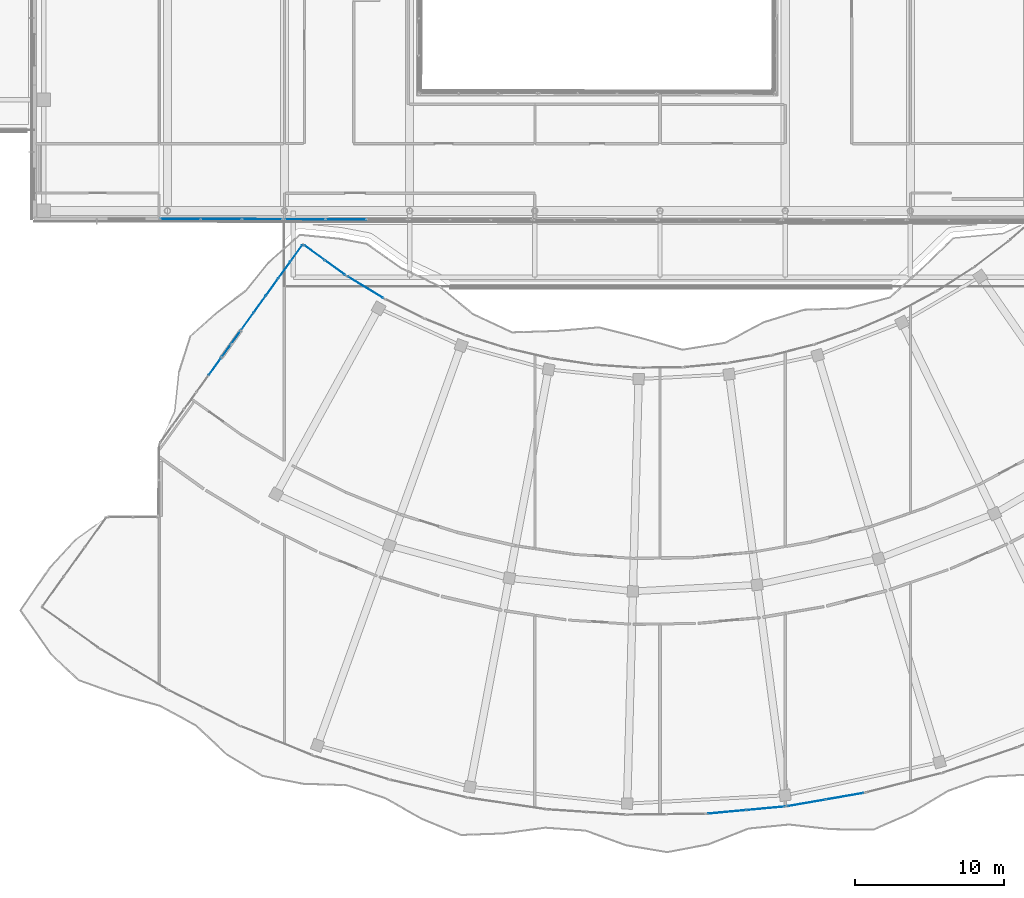
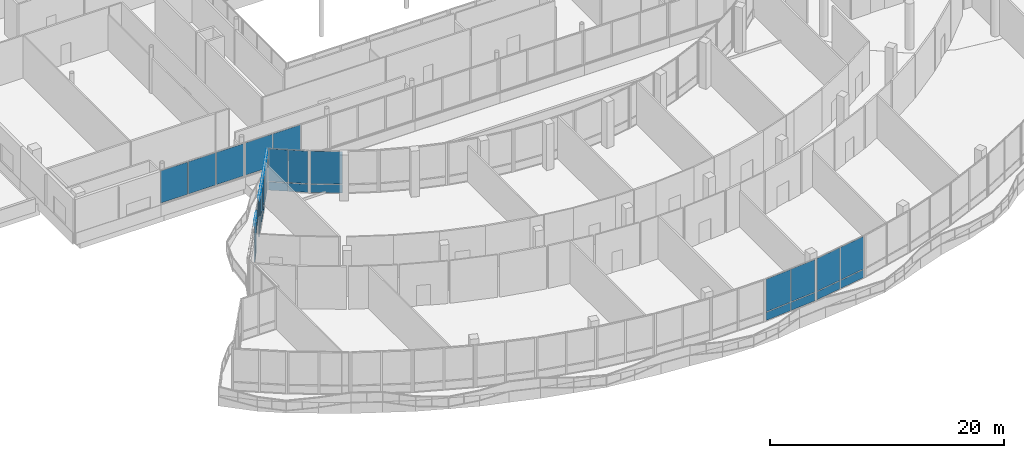
# One storey, part 124 of 168: 39 plates, 9 elements without a shape of their own.
"""IFC4 building model written with IfcOpenShell, lengths in metres."""

from ifc_helpers import new_model, si_unit, direction, frame, origin, origin_2d, place, context, subcontext, project, spatial, rectangle, extrude, material, layer, layer_set, type_object, element, aggregate, save


model = new_model("IFC4")

# Units and contexts
model_context = context("Model", 3, precision=1e-05, world=origin(), true_north=direction((0.0, 1.0)))
body_context = subcontext(model_context, "Body", "Model", "MODEL_VIEW")
ifc_project = project(units=[si_unit("LENGTHUNIT", "METRE"), si_unit("AREAUNIT", "SQUARE_METRE"), si_unit("VOLUMEUNIT", "CUBIC_METRE"), si_unit("PLANEANGLEUNIT", "RADIAN"), si_unit("MASSUNIT", "GRAM", prefix="KILO")], contexts=[model_context])

# Site, building, storey
site_placement = place(None, origin())
site = spatial("IfcSite", under=ifc_project, at=site_placement, CompositionType="ELEMENT")
building_placement = place(site_placement, origin())
building = spatial("IfcBuilding", under=site, at=building_placement, Name="Selatvlak General Hospital", CompositionType="ELEMENT")
storey_placement = place(building_placement, frame((0.0, 0.0, 5.39990234375)))
storey = spatial("IfcBuildingStorey", under=building, at=storey_placement, Name="L01", CompositionType="ELEMENT", Elevation=5.39990234375)

# Curtain wall, plates
ifc_material = material(Name="Solar-control Low-E double glazing", Category="glass")
curtain_wall_type_1 = type_object("IfcCurtainWallType", Name="CW-CW-01", PredefinedType="USERDEFINED", material=ifc_material)
curtain_wall_1_placement = place(storey_placement, origin())
curtain_wall_1 = element("IfcCurtainWall", 1, at=curtain_wall_1_placement, inside=storey, type_object=curtain_wall_type_1, Name="Glazed facade curtain wall CW-L01-0173", ObjectType="UNITISED CURTAIN WALL", PredefinedType="USERDEFINED")
ifc_layer = layer(ifc_material, 0.028076171875, Name="Solar-control Low-E double glazing", Category="glass")
ifc_layer_set = layer_set([ifc_layer], Name="Solar-control Low-E double glazing")
plate_type = type_object("IfcPlateType", Name="CWP-01", PredefinedType="CURTAIN_PANEL", material=ifc_layer_set)
plate_1_placement = place(storey_placement, frame((68.7939453125, 13.265380859375, 0.065185546875), z_axis=(0.0, 0.0, 1.0), x_axis=(-0.985299104881, -0.170838151242, 0.0)))
plate_1 = element("IfcPlate", 2, at=plate_1_placement, type_object=plate_type, Name="CW-01 panel 1.1", PredefinedType="CURTAIN_PANEL", context=body_context, shape_type="SweptSolid", body=[
    extrude(rectangle(XDim=2.54541015625, YDim=0.028076171875, at=origin_2d()), origin(), (0.0, 0.0, 1.0), 0.8525390625),
])
plate_2_placement = place(storey_placement, frame((68.7939453125, 13.265380859375, 0.982666015625), z_axis=(0.0, 0.0, 1.0), x_axis=(-0.985299104881, -0.170838151242, 0.0)))
plate_2 = element("IfcPlate", 3, at=plate_2_placement, type_object=plate_type, Name="CW-01 panel 1.2", PredefinedType="CURTAIN_PANEL", context=body_context, shape_type="SweptSolid", body=[
    extrude(rectangle(XDim=2.54541015625, YDim=0.028076171875, at=origin_2d()), origin(), (0.0, 0.0, 1.0), 3.3974609375),
])
plate_3_placement = place(storey_placement, frame((66.221923828125, 12.819580078125, 0.065185546875), z_axis=(0.0, 0.0, 1.0), x_axis=(-0.985299104881, -0.170838151242, 0.0)))
plate_3 = element("IfcPlate", 4, at=plate_3_placement, type_object=plate_type, Name="CW-01 panel 2.1", PredefinedType="CURTAIN_PANEL", context=body_context, shape_type="SweptSolid", body=[
    extrude(rectangle(XDim=2.54541015625, YDim=0.028076171875, at=origin_2d()), origin(), (0.0, 0.0, 1.0), 0.8525390625),
])
plate_4_placement = place(storey_placement, frame((66.221923828125, 12.819580078125, 0.982666015625), z_axis=(0.0, 0.0, 1.0), x_axis=(-0.985299104881, -0.170838151242, 0.0)))
plate_4 = element("IfcPlate", 5, at=plate_4_placement, type_object=plate_type, Name="CW-01 panel 2.2", PredefinedType="CURTAIN_PANEL", context=body_context, shape_type="SweptSolid", body=[
    extrude(rectangle(XDim=2.54541015625, YDim=0.028076171875, at=origin_2d()), origin(), (0.0, 0.0, 1.0), 3.3974609375),
])
aggregate(curtain_wall_1, [plate_1, plate_2, plate_3, plate_4])

curtain_wall_type_2 = type_object("IfcCurtainWallType", Name="CW-CW-02", PredefinedType="USERDEFINED", material=ifc_material)
curtain_wall_2_placement = place(storey_placement, origin())
curtain_wall_2 = element("IfcCurtainWall", 6, at=curtain_wall_2_placement, inside=storey, type_object=curtain_wall_type_2, Name="Glazed facade curtain wall CW-L01-0174", ObjectType="UNITISED CURTAIN WALL", PredefinedType="USERDEFINED")
plate_5_placement = place(storey_placement, frame((63.491455078125, 12.45849609375, 0.065185546875), z_axis=(0.0, 0.0, 1.0), x_axis=(-0.995731988381, -0.092291967773, 0.0)))
plate_5 = element("IfcPlate", 7, at=plate_5_placement, type_object=plate_type, Name="CW-02 panel 1.1", PredefinedType="CURTAIN_PANEL", context=body_context, shape_type="SweptSolid", body=[
    extrude(rectangle(XDim=2.54638671875, YDim=0.028076171875, at=origin_2d()), origin(), (0.0, 0.0, 1.0), 0.8525390625),
])
plate_6_placement = place(storey_placement, frame((63.491455078125, 12.45849609375, 0.982666015625), z_axis=(0.0, 0.0, 1.0), x_axis=(-0.995731988381, -0.092291967773, 0.0)))
plate_6 = element("IfcPlate", 8, at=plate_6_placement, type_object=plate_type, Name="CW-02 panel 1.2", PredefinedType="CURTAIN_PANEL", context=body_context, shape_type="SweptSolid", body=[
    extrude(rectangle(XDim=2.54638671875, YDim=0.028076171875, at=origin_2d()), origin(), (0.0, 0.0, 1.0), 3.3974609375),
])
plate_7_placement = place(storey_placement, frame((60.891357421875, 12.217529296875, 0.065185546875), z_axis=(0.0, 0.0, 1.0), x_axis=(-0.995731988381, -0.092291967773, 0.0)))
plate_7 = element("IfcPlate", 9, at=plate_7_placement, type_object=plate_type, Name="CW-02 panel 2.1", PredefinedType="CURTAIN_PANEL", context=body_context, shape_type="SweptSolid", body=[
    extrude(rectangle(XDim=2.54638671875, YDim=0.028076171875, at=origin_2d()), origin(), (0.0, 0.0, 1.0), 0.8525390625),
])
plate_8_placement = place(storey_placement, frame((60.891357421875, 12.217529296875, 0.982666015625), z_axis=(0.0, 0.0, 1.0), x_axis=(-0.995731988381, -0.092291967773, 0.0)))
plate_8 = element("IfcPlate", 10, at=plate_8_placement, type_object=plate_type, Name="CW-02 panel 2.2", PredefinedType="CURTAIN_PANEL", context=body_context, shape_type="SweptSolid", body=[
    extrude(rectangle(XDim=2.54638671875, YDim=0.028076171875, at=origin_2d()), origin(), (0.0, 0.0, 1.0), 3.3974609375),
])
aggregate(curtain_wall_2, [plate_5, plate_6, plate_7, plate_8])

curtain_wall_3_placement = place(storey_placement, origin())
curtain_wall_3 = element("IfcCurtainWall", 11, at=curtain_wall_3_placement, inside=storey, type_object=curtain_wall_type_2, Name="Glazed facade curtain wall CW-L01-0187", ObjectType="UNITISED CURTAIN WALL", PredefinedType="USERDEFINED")
plate_9_placement = place(storey_placement, frame((27.29638671875, 43.158203125, 2.385009765625), z_axis=(0.0, 0.0, 1.0), x_axis=(0.583236596029, 0.812302328602, 0.0)))
plate_9 = element("IfcPlate", 12, at=plate_9_placement, type_object=plate_type, Name="CW-02 panel 1.1", PredefinedType="CURTAIN_PANEL", context=body_context, shape_type="SweptSolid", body=[
    extrude(rectangle(XDim=1.03759765625, YDim=0.028076171875, at=origin_2d()), origin(), (0.0, 0.0, 1.0), 1.9951171875),
])
plate_10_placement = place(storey_placement, frame((27.939453125, 44.0537109375, 2.385009765625), z_axis=(0.0, 0.0, 1.0), x_axis=(0.583236596029, 0.812302328602, 0.0)))
plate_10 = element("IfcPlate", 13, at=plate_10_placement, type_object=plate_type, Name="CW-02 panel 2.1", PredefinedType="CURTAIN_PANEL", context=body_context, shape_type="SweptSolid", body=[
    extrude(rectangle(XDim=1.03759765625, YDim=0.028076171875, at=origin_2d()), origin(), (0.0, 0.0, 1.0), 1.9951171875),
])
aggregate(curtain_wall_3, [plate_9, plate_10])

curtain_wall_4_placement = place(storey_placement, origin())
curtain_wall_4 = element("IfcCurtainWall", 14, at=curtain_wall_4_placement, inside=storey, type_object=curtain_wall_type_1, Name="Glazed facade curtain wall CW-L01-0188", ObjectType="UNITISED CURTAIN WALL", PredefinedType="USERDEFINED")
plate_11_placement = place(storey_placement, frame((26.5185546875, 42.076904296875, 0.06494140625), z_axis=(0.0, 0.0, 1.0), x_axis=(0.583929474196, 0.81180439095, 0.0)))
plate_11 = element("IfcPlate", 15, at=plate_11_placement, type_object=plate_type, Name="CW-01 panel 5.1", PredefinedType="CURTAIN_PANEL", context=body_context, shape_type="SweptSolid", body=[
    extrude(rectangle(XDim=1.306884765625, YDim=0.028076171875, at=origin_2d()), origin(), (0.0, 0.0, 1.0), 0.802490234375),
])
plate_12_placement = place(storey_placement, frame((26.5185546875, 42.076904296875, 0.9326171875), z_axis=(0.0, 0.0, 1.0), x_axis=(0.583929474196, 0.81180439095, 0.0)))
plate_12 = element("IfcPlate", 16, at=plate_12_placement, type_object=plate_type, Name="CW-01 panel 5.2", PredefinedType="CURTAIN_PANEL", context=body_context, shape_type="SweptSolid", body=[
    extrude(rectangle(XDim=1.306884765625, YDim=0.028076171875, at=origin_2d()), origin(), (0.0, 0.0, 1.0), 2.830078125),
])
plate_13_placement = place(storey_placement, frame((26.5185546875, 42.076904296875, 3.82763671875), z_axis=(0.0, 0.0, 1.0), x_axis=(0.583929474196, 0.81180439095, 0.0)))
plate_13 = element("IfcPlate", 17, at=plate_13_placement, type_object=plate_type, Name="CW-01 panel 5.3", PredefinedType="CURTAIN_PANEL", context=body_context, shape_type="SweptSolid", body=[
    extrude(rectangle(XDim=1.306884765625, YDim=0.028076171875, at=origin_2d()), origin(), (0.0, 0.0, 1.0), 0.552490234375),
])
aggregate(curtain_wall_4, [plate_11, plate_12, plate_13])

curtain_wall_5_placement = place(storey_placement, origin())
curtain_wall_5 = element("IfcCurtainWall", 18, at=curtain_wall_5_placement, inside=storey, type_object=curtain_wall_type_1, Name="Glazed facade curtain wall CW-L01-0189", ObjectType="UNITISED CURTAIN WALL", PredefinedType="USERDEFINED")
plate_14_placement = place(storey_placement, frame((28.720458984375, 45.139404296875, 0.06494140625), z_axis=(0.0, 0.0, 1.0), x_axis=(0.583883694145, 0.811837318502, 0.0)))
plate_14 = element("IfcPlate", 19, at=plate_14_placement, type_object=plate_type, Name="CW-01 panel 1.1", PredefinedType="CURTAIN_PANEL", context=body_context, shape_type="SweptSolid", body=[
    extrude(rectangle(XDim=1.31689453125, YDim=0.028076171875, at=origin_2d()), origin(), (0.0, 0.0, 1.0), 0.802490234375),
])
plate_15_placement = place(storey_placement, frame((28.720458984375, 45.139404296875, 0.9326171875), z_axis=(0.0, 0.0, 1.0), x_axis=(0.583883694145, 0.811837318502, 0.0)))
plate_15 = element("IfcPlate", 20, at=plate_15_placement, type_object=plate_type, Name="CW-01 panel 1.2", PredefinedType="CURTAIN_PANEL", context=body_context, shape_type="SweptSolid", body=[
    extrude(rectangle(XDim=1.31689453125, YDim=0.028076171875, at=origin_2d()), origin(), (0.0, 0.0, 1.0), 2.830078125),
])
plate_16_placement = place(storey_placement, frame((28.720458984375, 45.139404296875, 3.82763671875), z_axis=(0.0, 0.0, 1.0), x_axis=(0.583883694145, 0.811837318502, 0.0)))
plate_16 = element("IfcPlate", 21, at=plate_16_placement, type_object=plate_type, Name="CW-01 panel 1.3", PredefinedType="CURTAIN_PANEL", context=body_context, shape_type="SweptSolid", body=[
    extrude(rectangle(XDim=1.31689453125, YDim=0.028076171875, at=origin_2d()), origin(), (0.0, 0.0, 1.0), 0.552490234375),
])
plate_17_placement = place(storey_placement, frame((29.53662109375, 46.2744140625, 0.06494140625), z_axis=(0.0, 0.0, 1.0), x_axis=(0.583883694145, 0.811837318502, 0.0)))
plate_17 = element("IfcPlate", 22, at=plate_17_placement, type_object=plate_type, Name="CW-01 panel 2.1", PredefinedType="CURTAIN_PANEL", context=body_context, shape_type="SweptSolid", body=[
    extrude(rectangle(XDim=1.349365234375, YDim=0.028076171875, at=origin_2d()), origin(), (0.0, 0.0, 1.0), 0.802490234375),
])
plate_18_placement = place(storey_placement, frame((29.53662109375, 46.2744140625, 0.9326171875), z_axis=(0.0, 0.0, 1.0), x_axis=(0.583883694145, 0.811837318502, 0.0)))
plate_18 = element("IfcPlate", 23, at=plate_18_placement, type_object=plate_type, Name="CW-01 panel 2.2", PredefinedType="CURTAIN_PANEL", context=body_context, shape_type="SweptSolid", body=[
    extrude(rectangle(XDim=1.349365234375, YDim=0.028076171875, at=origin_2d()), origin(), (0.0, 0.0, 1.0), 2.830078125),
])
plate_19_placement = place(storey_placement, frame((29.53662109375, 46.2744140625, 3.82763671875), z_axis=(0.0, 0.0, 1.0), x_axis=(0.583883694145, 0.811837318502, 0.0)))
plate_19 = element("IfcPlate", 24, at=plate_19_placement, type_object=plate_type, Name="CW-01 panel 2.3", PredefinedType="CURTAIN_PANEL", context=body_context, shape_type="SweptSolid", body=[
    extrude(rectangle(XDim=1.349365234375, YDim=0.028076171875, at=origin_2d()), origin(), (0.0, 0.0, 1.0), 0.552490234375),
])
plate_20_placement = place(storey_placement, frame((30.362548828125, 47.422607421875, 0.06494140625), z_axis=(0.0, 0.0, 1.0), x_axis=(0.583883694145, 0.811837318502, 0.0)))
plate_20 = element("IfcPlate", 25, at=plate_20_placement, type_object=plate_type, Name="CW-01 panel 3.1", PredefinedType="CURTAIN_PANEL", context=body_context, shape_type="SweptSolid", body=[
    extrude(rectangle(XDim=1.349365234375, YDim=0.028076171875, at=origin_2d()), origin(), (0.0, 0.0, 1.0), 0.802490234375),
])
plate_21_placement = place(storey_placement, frame((30.362548828125, 47.422607421875, 0.9326171875), z_axis=(0.0, 0.0, 1.0), x_axis=(0.583883694145, 0.811837318502, 0.0)))
plate_21 = element("IfcPlate", 26, at=plate_21_placement, type_object=plate_type, Name="CW-01 panel 3.2", PredefinedType="CURTAIN_PANEL", context=body_context, shape_type="SweptSolid", body=[
    extrude(rectangle(XDim=1.349365234375, YDim=0.028076171875, at=origin_2d()), origin(), (0.0, 0.0, 1.0), 2.830078125),
])
plate_22_placement = place(storey_placement, frame((30.362548828125, 47.422607421875, 3.82763671875), z_axis=(0.0, 0.0, 1.0), x_axis=(0.583883694145, 0.811837318502, 0.0)))
plate_22 = element("IfcPlate", 27, at=plate_22_placement, type_object=plate_type, Name="CW-01 panel 3.3", PredefinedType="CURTAIN_PANEL", context=body_context, shape_type="SweptSolid", body=[
    extrude(rectangle(XDim=1.349365234375, YDim=0.028076171875, at=origin_2d()), origin(), (0.0, 0.0, 1.0), 0.552490234375),
])
plate_23_placement = place(storey_placement, frame((31.188232421875, 48.57080078125, 0.06494140625), z_axis=(0.0, 0.0, 1.0), x_axis=(0.583883694145, 0.811837318502, 0.0)))
plate_23 = element("IfcPlate", 28, at=plate_23_placement, type_object=plate_type, Name="CW-01 panel 4.1", PredefinedType="CURTAIN_PANEL", context=body_context, shape_type="SweptSolid", body=[
    extrude(rectangle(XDim=1.349365234375, YDim=0.028076171875, at=origin_2d()), origin(), (0.0, 0.0, 1.0), 0.802490234375),
])
plate_24_placement = place(storey_placement, frame((31.188232421875, 48.57080078125, 0.9326171875), z_axis=(0.0, 0.0, 1.0), x_axis=(0.583883694145, 0.811837318502, 0.0)))
plate_24 = element("IfcPlate", 29, at=plate_24_placement, type_object=plate_type, Name="CW-01 panel 4.2", PredefinedType="CURTAIN_PANEL", context=body_context, shape_type="SweptSolid", body=[
    extrude(rectangle(XDim=1.349365234375, YDim=0.028076171875, at=origin_2d()), origin(), (0.0, 0.0, 1.0), 2.830078125),
])
plate_25_placement = place(storey_placement, frame((31.188232421875, 48.57080078125, 3.82763671875), z_axis=(0.0, 0.0, 1.0), x_axis=(0.583883694145, 0.811837318502, 0.0)))
plate_25 = element("IfcPlate", 30, at=plate_25_placement, type_object=plate_type, Name="CW-01 panel 4.3", PredefinedType="CURTAIN_PANEL", context=body_context, shape_type="SweptSolid", body=[
    extrude(rectangle(XDim=1.349365234375, YDim=0.028076171875, at=origin_2d()), origin(), (0.0, 0.0, 1.0), 0.552490234375),
])
plate_26_placement = place(storey_placement, frame((32.004638671875, 49.705810546875, 0.06494140625), z_axis=(0.0, 0.0, 1.0), x_axis=(0.583883694145, 0.811837318502, 0.0)))
plate_26 = element("IfcPlate", 31, at=plate_26_placement, type_object=plate_type, Name="CW-01 panel 5.1", PredefinedType="CURTAIN_PANEL", context=body_context, shape_type="SweptSolid", body=[
    extrude(rectangle(XDim=1.31689453125, YDim=0.028076171875, at=origin_2d()), origin(), (0.0, 0.0, 1.0), 0.802490234375),
])
plate_27_placement = place(storey_placement, frame((32.004638671875, 49.705810546875, 0.9326171875), z_axis=(0.0, 0.0, 1.0), x_axis=(0.583883694145, 0.811837318502, 0.0)))
plate_27 = element("IfcPlate", 32, at=plate_27_placement, type_object=plate_type, Name="CW-01 panel 5.2", PredefinedType="CURTAIN_PANEL", context=body_context, shape_type="SweptSolid", body=[
    extrude(rectangle(XDim=1.31689453125, YDim=0.028076171875, at=origin_2d()), origin(), (0.0, 0.0, 1.0), 2.830078125),
])
plate_28_placement = place(storey_placement, frame((32.004638671875, 49.705810546875, 3.82763671875), z_axis=(0.0, 0.0, 1.0), x_axis=(0.583883694145, 0.811837318502, 0.0)))
plate_28 = element("IfcPlate", 33, at=plate_28_placement, type_object=plate_type, Name="CW-01 panel 5.3", PredefinedType="CURTAIN_PANEL", context=body_context, shape_type="SweptSolid", body=[
    extrude(rectangle(XDim=1.31689453125, YDim=0.028076171875, at=origin_2d()), origin(), (0.0, 0.0, 1.0), 0.552490234375),
])
aggregate(curtain_wall_5, [plate_14, plate_15, plate_16, plate_17, plate_18, plate_19, plate_20, plate_21, plate_22, plate_23, plate_24, plate_25, plate_26, plate_27, plate_28])

curtain_wall_6_placement = place(storey_placement, origin())
curtain_wall_6 = element("IfcCurtainWall", 34, at=curtain_wall_6_placement, inside=storey, type_object=curtain_wall_type_2, Name="Glazed facade curtain wall CW-L01-0190", ObjectType="UNITISED CURTAIN WALL", PredefinedType="USERDEFINED")
plate_29_placement = place(storey_placement, frame((33.208984375, 49.7451171875, 0.065185546875), z_axis=(0.0, 0.0, 1.0), x_axis=(0.810082716622, -0.58631560804, 0.0)))
plate_29 = element("IfcPlate", 35, at=plate_29_placement, type_object=plate_type, Name="CW-02 panel 1.1", PredefinedType="CURTAIN_PANEL", context=body_context, shape_type="SweptSolid", body=[
    extrude(rectangle(XDim=1.64990234375, YDim=0.028076171875, at=origin_2d()), origin(), (0.0, 0.0, 1.0), 0.8525390625),
])
plate_30_placement = place(storey_placement, frame((33.208984375, 49.7451171875, 0.982666015625), z_axis=(0.0, 0.0, 1.0), x_axis=(0.810082716622, -0.58631560804, 0.0)))
plate_30 = element("IfcPlate", 36, at=plate_30_placement, type_object=plate_type, Name="CW-02 panel 1.2", PredefinedType="CURTAIN_PANEL", context=body_context, shape_type="SweptSolid", body=[
    extrude(rectangle(XDim=1.64990234375, YDim=0.028076171875, at=origin_2d()), origin(), (0.0, 0.0, 1.0), 3.3974609375),
])
plate_31_placement = place(storey_placement, frame((34.59814453125, 48.73974609375, 0.065185546875), z_axis=(0.0, 0.0, 1.0), x_axis=(0.810082716622, -0.58631560804, 0.0)))
plate_31 = element("IfcPlate", 37, at=plate_31_placement, type_object=plate_type, Name="CW-02 panel 2.1", PredefinedType="CURTAIN_PANEL", context=body_context, shape_type="SweptSolid", body=[
    extrude(rectangle(XDim=1.64990234375, YDim=0.028076171875, at=origin_2d()), origin(), (0.0, 0.0, 1.0), 0.8525390625),
])
plate_32_placement = place(storey_placement, frame((34.59814453125, 48.73974609375, 0.982666015625), z_axis=(0.0, 0.0, 1.0), x_axis=(0.810082716622, -0.58631560804, 0.0)))
plate_32 = element("IfcPlate", 38, at=plate_32_placement, type_object=plate_type, Name="CW-02 panel 2.2", PredefinedType="CURTAIN_PANEL", context=body_context, shape_type="SweptSolid", body=[
    extrude(rectangle(XDim=1.64990234375, YDim=0.028076171875, at=origin_2d()), origin(), (0.0, 0.0, 1.0), 3.3974609375),
])
aggregate(curtain_wall_6, [plate_29, plate_30, plate_31, plate_32])

curtain_wall_7_placement = place(storey_placement, origin())
curtain_wall_7 = element("IfcCurtainWall", 39, at=curtain_wall_7_placement, inside=storey, type_object=curtain_wall_type_1, Name="Glazed facade curtain wall CW-L01-0191", ObjectType="UNITISED CURTAIN WALL", PredefinedType="USERDEFINED")
plate_33_placement = place(storey_placement, frame((36.62744140625, 47.425048828125, 0.065185546875), z_axis=(0.0, 0.0, 1.0), x_axis=(0.85575329293, -0.517384094885, 0.0)))
plate_33 = element("IfcPlate", 40, at=plate_33_placement, type_object=plate_type, Name="CW-01 panel 1.1", PredefinedType="CURTAIN_PANEL", context=body_context, shape_type="SweptSolid", body=[
    extrude(rectangle(XDim=2.769287109375, YDim=0.028076171875, at=origin_2d()), origin(), (0.0, 0.0, 1.0), 0.8525390625),
])
plate_34_placement = place(storey_placement, frame((36.62744140625, 47.425048828125, 0.982666015625), z_axis=(0.0, 0.0, 1.0), x_axis=(0.85575329293, -0.517384094885, 0.0)))
plate_34 = element("IfcPlate", 41, at=plate_34_placement, type_object=plate_type, Name="CW-01 panel 1.2", PredefinedType="CURTAIN_PANEL", context=body_context, shape_type="SweptSolid", body=[
    extrude(rectangle(XDim=2.769287109375, YDim=0.028076171875, at=origin_2d()), origin(), (0.0, 0.0, 1.0), 3.3974609375),
])
aggregate(curtain_wall_7, [plate_33, plate_34])

curtain_wall_8_placement = place(storey_placement, origin())
curtain_wall_8 = element("IfcCurtainWall", 42, at=curtain_wall_8_placement, inside=storey, type_object=curtain_wall_type_2, Name="Glazed facade curtain wall CW-L01-0213", ObjectType="UNITISED CURTAIN WALL", PredefinedType="USERDEFINED")
plate_35_placement = place(storey_placement, frame((35.326904296875, 51.9775390625, 1.005126953125), z_axis=(0.0, 0.0, 1.0), x_axis=(-0.99999835986, 0.001811153756, 0.0)))
plate_35 = element("IfcPlate", 43, at=plate_35_placement, type_object=plate_type, Name="CW-02 panel 2.1", PredefinedType="CURTAIN_PANEL", context=body_context, shape_type="SweptSolid", body=[
    extrude(rectangle(XDim=2.695556640625, YDim=0.028076171875, at=origin_2d()), origin(), (0.0, 0.0, 1.0), 3.375),
])
plate_36_placement = place(storey_placement, frame((32.58251953125, 51.982421875, 1.005126953125), z_axis=(0.0, 0.0, 1.0), x_axis=(-0.99999835986, 0.001811153756, 0.0)))
plate_36 = element("IfcPlate", 44, at=plate_36_placement, type_object=plate_type, Name="CW-02 panel 3.1", PredefinedType="CURTAIN_PANEL", context=body_context, shape_type="SweptSolid", body=[
    extrude(rectangle(XDim=2.6630859375, YDim=0.028076171875, at=origin_2d()), origin(), (0.0, 0.0, 1.0), 3.375),
])
aggregate(curtain_wall_8, [plate_35, plate_36])

curtain_wall_9_placement = place(storey_placement, origin())
curtain_wall_9 = element("IfcCurtainWall", 45, at=curtain_wall_9_placement, inside=storey, type_object=curtain_wall_type_1, Name="Glazed facade curtain wall CW-L01-0214", ObjectType="UNITISED CURTAIN WALL", PredefinedType="USERDEFINED")
plate_37_placement = place(storey_placement, frame((29.70947265625, 51.987548828125, 1.005126953125), z_axis=(0.0, 0.0, 1.0), x_axis=(-0.99999835986, 0.001811153756, 0.0)))
plate_37 = element("IfcPlate", 46, at=plate_37_placement, type_object=plate_type, Name="CW-01 panel 1.1", PredefinedType="CURTAIN_PANEL", context=body_context, shape_type="SweptSolid", body=[
    extrude(rectangle(XDim=2.6630859375, YDim=0.028076171875, at=origin_2d()), origin(), (0.0, 0.0, 1.0), 3.375),
])
plate_38_placement = place(storey_placement, frame((26.965087890625, 51.992431640625, 1.005126953125), z_axis=(0.0, 0.0, 1.0), x_axis=(-0.99999835986, 0.001811153756, 0.0)))
plate_38 = element("IfcPlate", 47, at=plate_38_placement, type_object=plate_type, Name="CW-01 panel 2.1", PredefinedType="CURTAIN_PANEL", context=body_context, shape_type="SweptSolid", body=[
    extrude(rectangle(XDim=2.695556640625, YDim=0.028076171875, at=origin_2d()), origin(), (0.0, 0.0, 1.0), 3.375),
])
plate_39_placement = place(storey_placement, frame((24.220703125, 51.99755859375, 1.005126953125), z_axis=(0.0, 0.0, 1.0), x_axis=(-0.99999835986, 0.001811153756, 0.0)))
plate_39 = element("IfcPlate", 48, at=plate_39_placement, type_object=plate_type, Name="CW-01 panel 3.1", PredefinedType="CURTAIN_PANEL", context=body_context, shape_type="SweptSolid", body=[
    extrude(rectangle(XDim=2.6630859375, YDim=0.028076171875, at=origin_2d()), origin(), (0.0, 0.0, 1.0), 3.375),
])
aggregate(curtain_wall_9, [plate_37, plate_38, plate_39])

save(model, "model.ifc")
